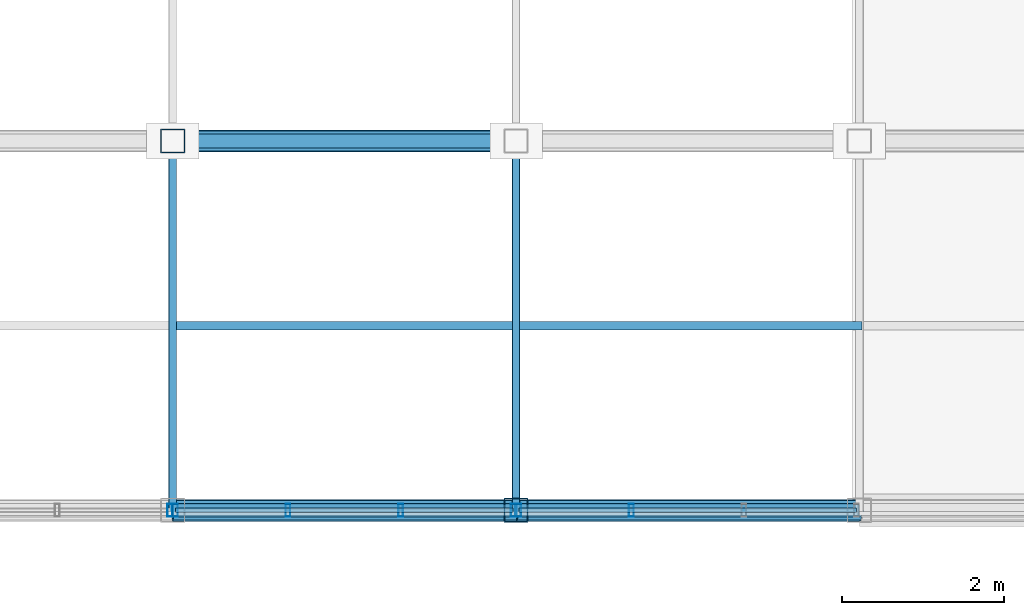
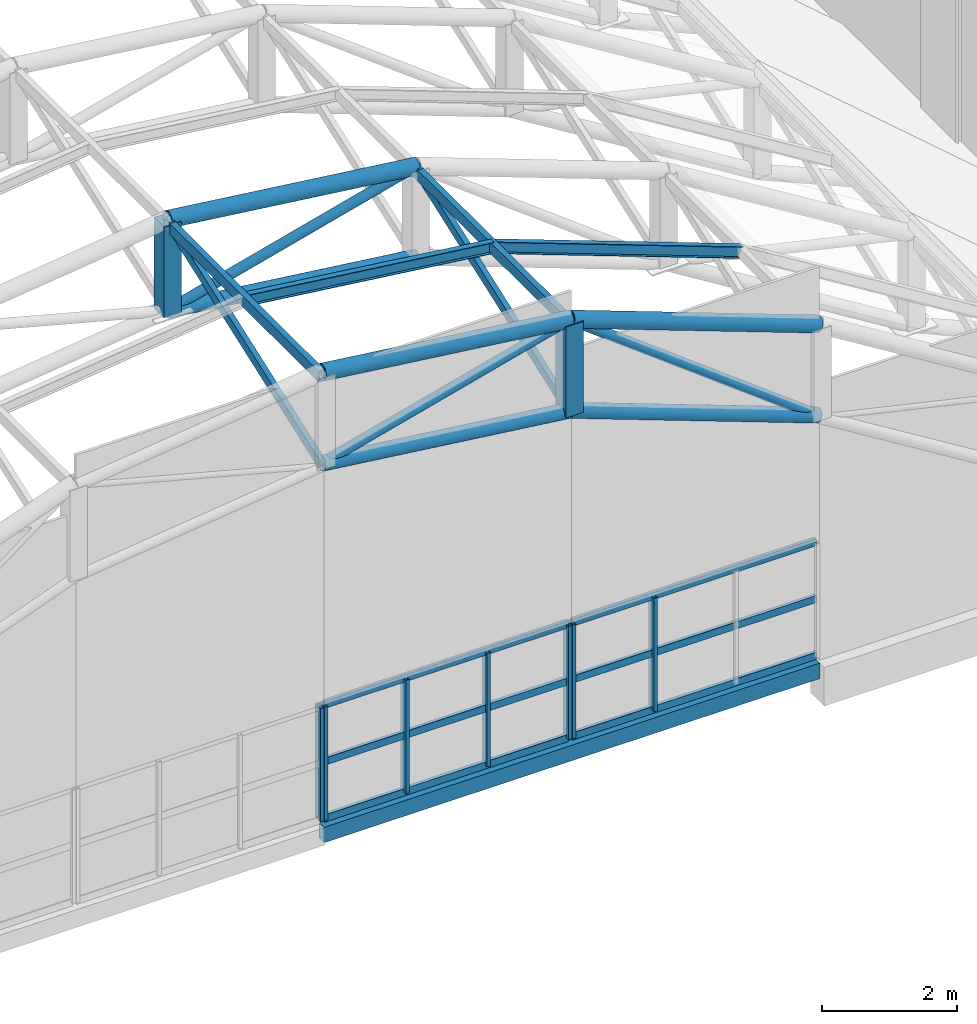
# One storey, part 11 of 86: 30 members, 1 beam, 3 elements without a shape of their own.
"""IFC4 building model written with IfcOpenShell, lengths in metres."""

from ifc_helpers import new_model, si_unit, direction, frame, origin, origin_2d, place, context, subcontext, project, spatial, hollow_rectangle, hollow_circle, i_section, extrude, material, material_profile, profile_set, type_object, element, aggregate, save


model = new_model("IFC4")

# Units and contexts
model_context = context("Model", 3, precision=1e-05, world=origin(), true_north=direction((0.0, 1.0)))
body_context = subcontext(model_context, "Body", "Model", "MODEL_VIEW")
ifc_project = project(units=[si_unit("LENGTHUNIT", "METRE"), si_unit("AREAUNIT", "SQUARE_METRE"), si_unit("VOLUMEUNIT", "CUBIC_METRE"), si_unit("PLANEANGLEUNIT", "RADIAN"), si_unit("MASSUNIT", "GRAM", prefix="KILO")], contexts=[model_context])

# Site, building, storey
site_placement = place(None, origin())
site = spatial("IfcSite", under=ifc_project, at=site_placement, CompositionType="ELEMENT")
building_placement = place(site_placement, origin())
building = spatial("IfcBuilding", under=site, at=building_placement, Name="Solvikara Media Centre", CompositionType="ELEMENT")
storey_placement = place(building_placement, frame((0.0, 0.0, 15.0)))
storey = spatial("IfcBuildingStorey", under=building, at=storey_placement, Name="L03", CompositionType="ELEMENT", Elevation=15.0)

# Beam
ifc_material_1 = material(Name="Steel S355JR", Category="steel")
ifc_material_profile_1 = material_profile(ifc_material_1, hollow_rectangle(XDim=0.139892578125, YDim=0.280029296875, WallThickness=0.008056640625, at=origin_2d()), Name="RHS 280x140x8")
ifc_profile_set_1 = profile_set([ifc_material_profile_1], Name="Steel S355JR")
beam_type = type_object("IfcBeamType", Name="BM-46", PredefinedType="SPANDREL", material=ifc_profile_set_1)
beam_placement = place(storey_placement, frame((17.0, 0.0, -0.239990234375), z_axis=(1.0, 0.0, 0.0), x_axis=(0.0, 1.0, 0.0)))
element("IfcBeam", 1, at=beam_placement, inside=storey, type_object=beam_type, Name="B-L03-X1152", PredefinedType="SPANDREL", context=body_context, shape_type="SweptSolid", body=[
    extrude(hollow_rectangle(XDim=0.139892578125, YDim=0.280029296875, WallThickness=0.008056640625, at=origin_2d()), origin(), (0.0, 0.0, 1.0), 8.5),
])

# Members
ifc_material_profile_2 = material_profile(ifc_material_1, hollow_circle(Radius=0.136474609375, WallThickness=0.010009765625, at=origin_2d()), Name="CHS 273x10")
ifc_profile_set_2 = profile_set([ifc_material_profile_2], Name="Steel S355JR")
member_type_1 = type_object("IfcMemberType", Name="MB-03", PredefinedType="CHORD", material=ifc_profile_set_2)
member_1_placement = place(storey_placement, frame((17.0, 0.0, 8.10498046875), z_axis=(0.992459240716, 0.0, -0.122575101536), x_axis=(0.0, 1.0, 0.0)))
element("IfcMember", 2, at=member_1_placement, inside=storey, type_object=member_type_1, Name="Space Frame Vault Chord GC-TC-00-04", PredefinedType="CHORD", context=body_context, shape_type="SweptSolid", body=[
    extrude(hollow_circle(Radius=0.136474609375, WallThickness=0.010009765625, at=origin_2d()), origin(), (0.0, 0.0, 1.0), 4.2822265625),
])
member_2_placement = place(storey_placement, frame((21.25, 0.0, 7.580078125), z_axis=(0.937668166589, 0.0, -0.347531882516), x_axis=(0.0, 1.0, 0.0)))
element("IfcMember", 3, at=member_2_placement, inside=storey, type_object=member_type_1, Name="Space Frame Vault Chord GC-TC-00-05", PredefinedType="CHORD", context=body_context, shape_type="SweptSolid", body=[
    extrude(hollow_circle(Radius=0.136474609375, WallThickness=0.010009765625, at=origin_2d()), origin(), (0.0, 0.0, 1.0), 4.532470703125),
])
member_3_placement = place(storey_placement, frame((17.0, 4.571044921875, 8.10498046875), z_axis=(0.992459240716, 0.0, -0.122575101536), x_axis=(0.0, 1.0, 0.0)))
element("IfcMember", 4, at=member_3_placement, inside=storey, type_object=member_type_1, Name="Space Frame Vault Chord GC-TC-01-04", PredefinedType="CHORD", context=body_context, shape_type="SweptSolid", body=[
    extrude(hollow_circle(Radius=0.136474609375, WallThickness=0.010009765625, at=origin_2d()), origin(), (0.0, 0.0, 1.0), 4.2822265625),
])
ifc_material_profile_3 = material_profile(ifc_material_1, hollow_circle(Radius=0.122314453125, WallThickness=0.010009765625, at=origin_2d()), Name="CHS 244.5x10")
ifc_profile_set_3 = profile_set([ifc_material_profile_3], Name="Steel S355JR")
member_type_2 = type_object("IfcMemberType", Name="MB-04", PredefinedType="CHORD", material=ifc_profile_set_3)
member_4_placement = place(storey_placement, frame((17.0, 0.0, 6.455078125), z_axis=(0.992452303661, 0.0, -0.122631256042), x_axis=(0.0, 1.0, 0.0)))
element("IfcMember", 5, at=member_4_placement, inside=storey, type_object=member_type_2, Name="GC-BC-00-04", PredefinedType="CHORD", context=body_context, shape_type="SweptSolid", body=[
    extrude(hollow_circle(Radius=0.122314453125, WallThickness=0.010009765625, at=origin_2d()), origin(), (0.0, 0.0, 1.0), 4.2822265625),
])
member_5_placement = place(storey_placement, frame((21.25, 0.0, 5.929931640625), z_axis=(0.93768571843, 0.0, -0.34748452261), x_axis=(0.0, 1.0, 0.0)))
element("IfcMember", 6, at=member_5_placement, inside=storey, type_object=member_type_2, Name="GC-BC-00-05", PredefinedType="CHORD", context=body_context, shape_type="SweptSolid", body=[
    extrude(hollow_circle(Radius=0.122314453125, WallThickness=0.010009765625, at=origin_2d()), origin(), (0.0, 0.0, 1.0), 4.532470703125),
])
member_6_placement = place(storey_placement, frame((17.0, 4.571044921875, 6.455078125), z_axis=(0.992452303661, 0.0, -0.122631256042), x_axis=(0.0, 1.0, 0.0)))
element("IfcMember", 7, at=member_6_placement, inside=storey, type_object=member_type_2, Name="GC-BC-01-04", PredefinedType="CHORD", context=body_context, shape_type="SweptSolid", body=[
    extrude(hollow_circle(Radius=0.122314453125, WallThickness=0.010009765625, at=origin_2d()), origin(), (0.0, 0.0, 1.0), 4.2822265625),
])
ifc_material_profile_4 = material_profile(ifc_material_1, hollow_circle(Radius=0.084228515625, WallThickness=0.007080078125, at=origin_2d()), Name="CHS 168.3x7.1")
ifc_profile_set_4 = profile_set([ifc_material_profile_4], Name="Steel S355JR")
member_type_3 = type_object("IfcMemberType", Name="MB-07", PredefinedType="BRACE", material=ifc_profile_set_4)
member_7_placement = place(storey_placement, frame((17.0, 0.0, 6.455078125), z_axis=(0.966705227862, 0.0, 0.255892560316), x_axis=(0.0, 1.0, 0.0)))
element("IfcMember", 8, at=member_7_placement, inside=storey, type_object=member_type_3, Name="GC-DG-00-04", PredefinedType="BRACE", context=body_context, shape_type="SweptSolid", body=[
    extrude(hollow_circle(Radius=0.084228515625, WallThickness=0.007080078125, at=origin_2d()), origin(), (0.0, 0.0, 1.0), 4.396484375),
])
member_8_placement = place(storey_placement, frame((21.25, 0.0, 7.580078125), z_axis=(0.796604645228, 0.0, -0.604500652772), x_axis=(0.0, 1.0, 0.0)))
element("IfcMember", 9, at=member_8_placement, inside=storey, type_object=member_type_3, Name="GC-DG-00-05", PredefinedType="BRACE", context=body_context, shape_type="SweptSolid", body=[
    extrude(hollow_circle(Radius=0.084228515625, WallThickness=0.007080078125, at=origin_2d()), origin(), (0.0, 0.0, 1.0), 5.335205078125),
])
member_9_placement = place(storey_placement, frame((17.0, 4.571044921875, 6.455078125), z_axis=(0.966705227862, 0.0, 0.255892560316), x_axis=(0.0, 1.0, 0.0)))
element("IfcMember", 10, at=member_9_placement, inside=storey, type_object=member_type_3, Name="GC-DG-01-04", PredefinedType="BRACE", context=body_context, shape_type="SweptSolid", body=[
    extrude(hollow_circle(Radius=0.084228515625, WallThickness=0.007080078125, at=origin_2d()), origin(), (0.0, 0.0, 1.0), 4.396484375),
])
ifc_material_profile_5 = material_profile(ifc_material_1, hollow_rectangle(XDim=0.300048828125, YDim=0.300048828125, WallThickness=0.012451171875, at=origin_2d()), Name="RHS 300x300x12.5")
ifc_profile_set_5 = profile_set([ifc_material_profile_5], Name="Steel S355JR")
member_type_4 = type_object("IfcMemberType", Name="MB-11", PredefinedType="CHORD", material=ifc_profile_set_5)
member_10_placement = place(storey_placement, frame((21.25, 0.0, 5.929931640625), z_axis=(0.0, 0.0, 1.0), x_axis=(1.0, 0.0, 0.0)))
element("IfcMember", 11, at=member_10_placement, inside=storey, type_object=member_type_4, Name="GC-VT-00-05", PredefinedType="CHORD", context=body_context, shape_type="SweptSolid", body=[
    extrude(hollow_rectangle(XDim=0.300048828125, YDim=0.300048828125, WallThickness=0.012451171875, at=origin_2d()), origin(), (0.0, 0.0, 1.0), 1.650146484375),
])
member_11_placement = place(storey_placement, frame((17.0, 4.571044921875, 6.455078125), z_axis=(0.0, 0.0, 1.0), x_axis=(1.0, 0.0, 0.0)))
element("IfcMember", 12, at=member_11_placement, inside=storey, type_object=member_type_4, Name="GC-VT-01-04", PredefinedType="CHORD", context=body_context, shape_type="SweptSolid", body=[
    extrude(hollow_rectangle(XDim=0.300048828125, YDim=0.300048828125, WallThickness=0.012451171875, at=origin_2d()), origin(), (0.0, 0.0, 1.0), 1.64990234375),
])
ifc_material_profile_6 = material_profile(ifc_material_1, hollow_rectangle(XDim=0.10009765625, YDim=0.199951171875, WallThickness=0.00634765625, at=origin_2d()), Name="RHS 200x100x6.3")
ifc_profile_set_6 = profile_set([ifc_material_profile_6], Name="Steel S355JR")
member_type_5 = type_object("IfcMemberType", Name="MB-17", PredefinedType="PURLIN", material=ifc_profile_set_6)
for number, where, z_axis, x_axis, name in (
    (13, (17.0, 0.0, 8.0400390625), (0.0, 1.0, 0.0), (-1.0, 0.0, 0.0), "GC-PRL-00-04"),
    (14, (21.25, 0.0, 7.514892578125), (0.0, 1.0, 0.0), (-1.0, 0.0, 0.0), "GC-PRL-00-05"),
):
    element("IfcMember", number, at=place(storey_placement, frame(where, z_axis=z_axis, x_axis=x_axis)), inside=storey, type_object=member_type_5, Name=name, PredefinedType="PURLIN", context=body_context, shape_type="SweptSolid", body=[
        extrude(hollow_rectangle(XDim=0.10009765625, YDim=0.199951171875, WallThickness=0.00634765625, at=origin_2d()), origin(), (0.0, 0.0, 1.0), 4.571044921875),
    ])
ifc_material_profile_7 = material_profile(ifc_material_1, i_section(OverallWidth=0.10009765625, OverallDepth=0.199951171875, WebThickness=0.005615234375, FlangeThickness=0.008056640625, at=origin_2d()), Name="WF 200x100x5.5x8")
ifc_profile_set_7 = profile_set([ifc_material_profile_7], Name="Steel S355JR")
member_type_6 = type_object("IfcMemberType", Name="MB-21", PredefinedType="PURLIN", material=ifc_profile_set_7)
member_12_placement = place(storey_placement, frame((17.0, 2.284912109375, 8.0400390625), z_axis=(0.992452303661, 0.0, -0.122631256042), x_axis=(0.0, 1.0, 0.0)))
element("IfcMember", 15, at=member_12_placement, inside=storey, type_object=member_type_6, Name="GC-SUB-00-04", PredefinedType="PURLIN", context=body_context, shape_type="SweptSolid", body=[
    extrude(i_section(OverallWidth=0.10009765625, OverallDepth=0.199951171875, WebThickness=0.005615234375, FlangeThickness=0.008056640625, at=origin_2d()), origin(), (0.0, 0.0, 1.0), 4.2822265625),
])
member_13_placement = place(storey_placement, frame((21.25, 2.284912109375, 7.514892578125), z_axis=(0.93768571843, 0.0, -0.34748452261), x_axis=(0.0, 1.0, 0.0)))
element("IfcMember", 16, at=member_13_placement, inside=storey, type_object=member_type_6, Name="GC-SUB-00-05", PredefinedType="PURLIN", context=body_context, shape_type="SweptSolid", body=[
    extrude(i_section(OverallWidth=0.10009765625, OverallDepth=0.199951171875, WebThickness=0.005615234375, FlangeThickness=0.008056640625, at=origin_2d()), origin(), (0.0, 0.0, 1.0), 4.532470703125),
])
ifc_material_profile_8 = material_profile(ifc_material_1, hollow_rectangle(XDim=0.090087890625, YDim=0.169921875, WallThickness=0.0048828125, at=origin_2d()), Name="RHS 170x90x5")
ifc_profile_set_8 = profile_set([ifc_material_profile_8], Name="Steel S355JR")
member_type_7 = type_object("IfcMemberType", Name="MB-26", PredefinedType="PURLIN", material=ifc_profile_set_8)
member_14_placement = place(storey_placement, frame((17.0, 0.0, 6.455078125), z_axis=(0.0, 0.94060337314, 0.339507429134), x_axis=(-1.0, 0.0, 0.0)))
element("IfcMember", 17, at=member_14_placement, inside=storey, type_object=member_type_7, Name="GC-3D-00-04", PredefinedType="PURLIN", context=body_context, shape_type="SweptSolid", body=[
    extrude(hollow_rectangle(XDim=0.090087890625, YDim=0.169921875, WallThickness=0.0048828125, at=origin_2d()), origin(), (0.0, 0.0, 1.0), 4.859619140625),
])
member_15_placement = place(storey_placement, frame((21.25, 0.0, 5.929931640625), z_axis=(0.0, 0.940587329315, 0.339551875172), x_axis=(-1.0, 0.0, 0.0)))
element("IfcMember", 18, at=member_15_placement, inside=storey, type_object=member_type_7, Name="GC-3D-00-05", PredefinedType="PURLIN", context=body_context, shape_type="SweptSolid", body=[
    extrude(hollow_rectangle(XDim=0.090087890625, YDim=0.169921875, WallThickness=0.0048828125, at=origin_2d()), origin(), (0.0, 0.0, 1.0), 4.85986328125),
])

# Curtain wall, member
ifc_material_2 = material(Name="Anodised aluminium EN AW-6063", Category="aluminium")
curtain_wall_type = type_object("IfcCurtainWallType", Name="CW-07", PredefinedType="NOTDEFINED", material=ifc_material_2)
curtain_wall_1_placement = place(storey_placement, origin())
curtain_wall_1 = element("IfcCurtainWall", 19, at=curtain_wall_1_placement, inside=storey, type_object=curtain_wall_type, Name="CW-GC-CLR-03", PredefinedType="NOTDEFINED")
ifc_material_profile_9 = material_profile(ifc_material_2, hollow_rectangle(XDim=0.06005859375, YDim=0.159912109375, WallThickness=0.00341796875, at=origin_2d()), Name="ALU-M 60x160x3.5")
ifc_profile_set_9 = profile_set([ifc_material_profile_9], Name="Anodised aluminium EN AW-6063")
member_type_8 = type_object("IfcMemberType", Name="MF-04", PredefinedType="MULLION", material=ifc_profile_set_9)
member_16_placement = place(storey_placement, frame((16.965087890625, 0.0, 0.02001953125), z_axis=(0.0, 0.0, 1.0), x_axis=(1.0, 0.0, 0.0)))
member_16 = element("IfcMember", 20, at=member_16_placement, type_object=member_type_8, Name="CW-GC-CLR-03-M03", PredefinedType="MULLION", context=body_context, shape_type="SweptSolid", body=[
    extrude(hollow_rectangle(XDim=0.06005859375, YDim=0.159912109375, WallThickness=0.00341796875, at=origin_2d()), origin(), (0.0, 0.0, 1.0), 2.06005859375),
])
aggregate(curtain_wall_1, [member_16])

# Curtain wall, members
curtain_wall_2_placement = place(storey_placement, origin())
curtain_wall_2 = element("IfcCurtainWall", 21, at=curtain_wall_2_placement, inside=storey, type_object=curtain_wall_type, Name="CW-GC-CLR-04", PredefinedType="NOTDEFINED")
member_17_placement = place(storey_placement, frame((17.034912109375, 0.0, 0.02001953125), z_axis=(0.0, 0.0, 1.0), x_axis=(1.0, 0.0, 0.0)))
member_17 = element("IfcMember", 22, at=member_17_placement, type_object=member_type_8, Name="CW-GC-CLR-04-M00", PredefinedType="MULLION", context=body_context, shape_type="SweptSolid", body=[
    extrude(hollow_rectangle(XDim=0.06005859375, YDim=0.159912109375, WallThickness=0.00341796875, at=origin_2d()), origin(), (0.0, 0.0, 1.0), 2.06005859375),
])
member_18_placement = place(storey_placement, frame((18.427978515625, 0.0, 0.02001953125), z_axis=(0.0, 0.0, 1.0), x_axis=(1.0, 0.0, 0.0)))
member_18 = element("IfcMember", 23, at=member_18_placement, type_object=member_type_8, Name="CW-GC-CLR-04-M01", PredefinedType="MULLION", context=body_context, shape_type="SweptSolid", body=[
    extrude(hollow_rectangle(XDim=0.06005859375, YDim=0.159912109375, WallThickness=0.00341796875, at=origin_2d()), origin(), (0.0, 0.0, 1.0), 2.06005859375),
])
member_19_placement = place(storey_placement, frame((19.822021484375, 0.0, 0.02001953125), z_axis=(0.0, 0.0, 1.0), x_axis=(1.0, 0.0, 0.0)))
member_19 = element("IfcMember", 24, at=member_19_placement, type_object=member_type_8, Name="CW-GC-CLR-04-M02", PredefinedType="MULLION", context=body_context, shape_type="SweptSolid", body=[
    extrude(hollow_rectangle(XDim=0.06005859375, YDim=0.159912109375, WallThickness=0.00341796875, at=origin_2d()), origin(), (0.0, 0.0, 1.0), 2.06005859375),
])
member_20_placement = place(storey_placement, frame((21.215087890625, 0.0, 0.02001953125), z_axis=(0.0, 0.0, 1.0), x_axis=(1.0, 0.0, 0.0)))
member_20 = element("IfcMember", 25, at=member_20_placement, type_object=member_type_8, Name="CW-GC-CLR-04-M03", PredefinedType="MULLION", context=body_context, shape_type="SweptSolid", body=[
    extrude(hollow_rectangle(XDim=0.06005859375, YDim=0.159912109375, WallThickness=0.00341796875, at=origin_2d()), origin(), (0.0, 0.0, 1.0), 2.06005859375),
])

curtain_wall_3_placement = place(storey_placement, origin())
curtain_wall_3 = element("IfcCurtainWall", 26, at=curtain_wall_3_placement, inside=storey, type_object=curtain_wall_type, Name="CW-GC-CLR-05", PredefinedType="NOTDEFINED")
member_21_placement = place(storey_placement, frame((21.284912109375, 0.0, 0.02001953125), z_axis=(0.0, 0.0, 1.0), x_axis=(1.0, 0.0, 0.0)))
member_21 = element("IfcMember", 27, at=member_21_placement, type_object=member_type_8, Name="CW-GC-CLR-05-M00", PredefinedType="MULLION", context=body_context, shape_type="SweptSolid", body=[
    extrude(hollow_rectangle(XDim=0.06005859375, YDim=0.159912109375, WallThickness=0.00341796875, at=origin_2d()), origin(), (0.0, 0.0, 1.0), 2.06005859375),
])
member_22_placement = place(storey_placement, frame((22.677978515625, 0.0, 0.02001953125), z_axis=(0.0, 0.0, 1.0), x_axis=(1.0, 0.0, 0.0)))
member_22 = element("IfcMember", 28, at=member_22_placement, type_object=member_type_8, Name="CW-GC-CLR-05-M01", PredefinedType="MULLION", context=body_context, shape_type="SweptSolid", body=[
    extrude(hollow_rectangle(XDim=0.06005859375, YDim=0.159912109375, WallThickness=0.00341796875, at=origin_2d()), origin(), (0.0, 0.0, 1.0), 2.06005859375),
])

# Member
ifc_material_profile_10 = material_profile(ifc_material_2, hollow_rectangle(XDim=0.06005859375, YDim=0.1298828125, WallThickness=0.0029296875, at=origin_2d()), Name="ALU-T 60x130x3")
ifc_profile_set_10 = profile_set([ifc_material_profile_10], Name="Anodised aluminium EN AW-6063")
member_type_9 = type_object("IfcMemberType", Name="MF-10", PredefinedType="USERDEFINED", material=ifc_profile_set_10)
member_23_placement = place(storey_placement, frame((17.034912109375, 0.0, 0.02001953125), z_axis=(1.0, 0.0, 0.0), x_axis=(0.0, 1.0, 0.0)))
member_23 = element("IfcMember", 29, at=member_23_placement, type_object=member_type_9, Name="CW-GC-CLR-04-T00", ObjectType="TRANSOM", PredefinedType="USERDEFINED", context=body_context, shape_type="SweptSolid", body=[
    extrude(hollow_rectangle(XDim=0.06005859375, YDim=0.1298828125, WallThickness=0.0029296875, at=origin_2d()), origin(), (0.0, 0.0, 1.0), 4.18017578125),
])

member_24_placement = place(storey_placement, frame((17.034912109375, 0.0, 1.050048828125), z_axis=(1.0, 0.0, 0.0), x_axis=(0.0, 1.0, 0.0)))
member_24 = element("IfcMember", 30, at=member_24_placement, type_object=member_type_9, Name="CW-GC-CLR-04-T01", ObjectType="TRANSOM", PredefinedType="USERDEFINED", context=body_context, shape_type="SweptSolid", body=[
    extrude(hollow_rectangle(XDim=0.06005859375, YDim=0.1298828125, WallThickness=0.0029296875, at=origin_2d()), origin(), (0.0, 0.0, 1.0), 4.18017578125),
])

member_25_placement = place(storey_placement, frame((17.034912109375, 0.0, 2.080078125), z_axis=(1.0, 0.0, 0.0), x_axis=(0.0, 1.0, 0.0)))
member_25 = element("IfcMember", 31, at=member_25_placement, type_object=member_type_9, Name="CW-GC-CLR-04-T02", ObjectType="TRANSOM", PredefinedType="USERDEFINED", context=body_context, shape_type="SweptSolid", body=[
    extrude(hollow_rectangle(XDim=0.06005859375, YDim=0.1298828125, WallThickness=0.0029296875, at=origin_2d()), origin(), (0.0, 0.0, 1.0), 4.18017578125),
])

aggregate(curtain_wall_2, [member_17, member_18, member_19, member_20, member_23, member_24, member_25])

member_26_placement = place(storey_placement, frame((21.284912109375, 0.0, 0.02001953125), z_axis=(1.0, 0.0, 0.0), x_axis=(0.0, 1.0, 0.0)))
member_26 = element("IfcMember", 32, at=member_26_placement, type_object=member_type_9, Name="CW-GC-CLR-05-T00", ObjectType="TRANSOM", PredefinedType="USERDEFINED", context=body_context, shape_type="SweptSolid", body=[
    extrude(hollow_rectangle(XDim=0.06005859375, YDim=0.1298828125, WallThickness=0.0029296875, at=origin_2d()), origin(), (0.0, 0.0, 1.0), 4.18017578125),
])

member_27_placement = place(storey_placement, frame((21.284912109375, 0.0, 1.050048828125), z_axis=(1.0, 0.0, 0.0), x_axis=(0.0, 1.0, 0.0)))
member_27 = element("IfcMember", 33, at=member_27_placement, type_object=member_type_9, Name="CW-GC-CLR-05-T01", ObjectType="TRANSOM", PredefinedType="USERDEFINED", context=body_context, shape_type="SweptSolid", body=[
    extrude(hollow_rectangle(XDim=0.06005859375, YDim=0.1298828125, WallThickness=0.0029296875, at=origin_2d()), origin(), (0.0, 0.0, 1.0), 4.18017578125),
])

member_28_placement = place(storey_placement, frame((21.284912109375, 0.0, 2.080078125), z_axis=(1.0, 0.0, 0.0), x_axis=(0.0, 1.0, 0.0)))
member_28 = element("IfcMember", 34, at=member_28_placement, type_object=member_type_9, Name="CW-GC-CLR-05-T02", ObjectType="TRANSOM", PredefinedType="USERDEFINED", context=body_context, shape_type="SweptSolid", body=[
    extrude(hollow_rectangle(XDim=0.06005859375, YDim=0.1298828125, WallThickness=0.0029296875, at=origin_2d()), origin(), (0.0, 0.0, 1.0), 4.18017578125),
])

aggregate(curtain_wall_3, [member_21, member_22, member_26, member_27, member_28])

save(model, "model.ifc")
